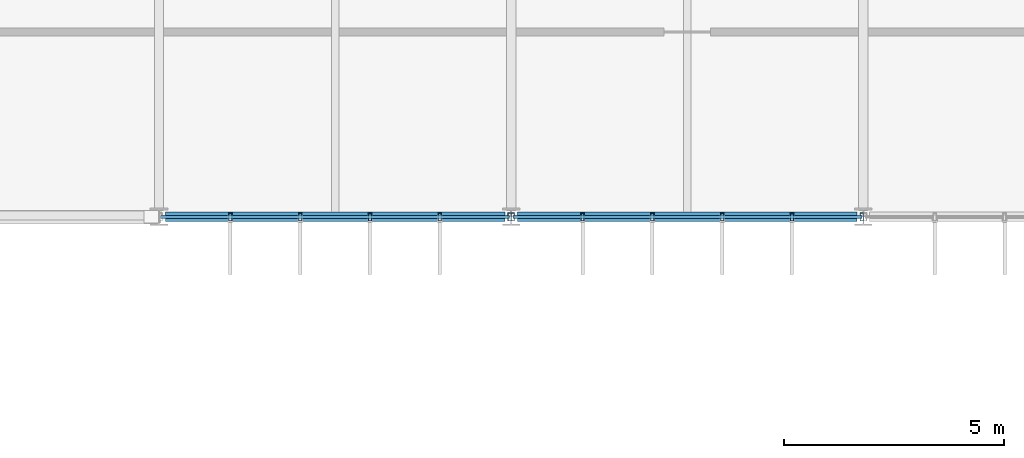
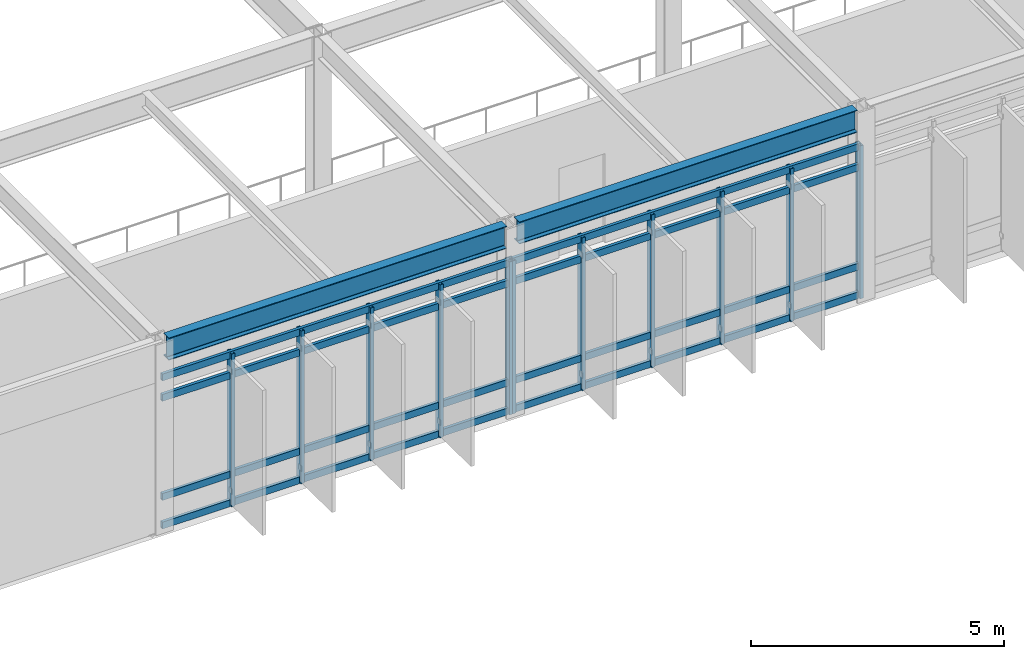
# One storey, part 35 of 104: 19 members, 2 beams, 2 elements without a shape of their own.
"""IFC4 building model written with IfcOpenShell, lengths in metres."""

from ifc_helpers import new_model, si_unit, direction, frame, origin, origin_2d, place, context, subcontext, project, spatial, hollow_rectangle, i_section, extrude, material, material_profile, profile_set, type_object, element, aggregate, save


model = new_model("IFC4")

# Units and contexts
model_context = context("Model", 3, precision=1e-05, world=origin(), true_north=direction((0.0, 1.0)))
body_context = subcontext(model_context, "Body", "Model", "MODEL_VIEW")
ifc_project = project(units=[si_unit("LENGTHUNIT", "METRE"), si_unit("AREAUNIT", "SQUARE_METRE"), si_unit("VOLUMEUNIT", "CUBIC_METRE"), si_unit("PLANEANGLEUNIT", "RADIAN"), si_unit("MASSUNIT", "GRAM", prefix="KILO")], contexts=[model_context])

# Site, building, storey
site_placement = place(None, origin())
site = spatial("IfcSite", under=ifc_project, at=site_placement, CompositionType="ELEMENT")
building_placement = place(site_placement, origin())
building = spatial("IfcBuilding", under=site, at=building_placement, Name="Zulena Civic Courthouse", CompositionType="ELEMENT")
storey_placement = place(building_placement, frame((0.0, 0.0, 15.60009765625)))
storey = spatial("IfcBuildingStorey", under=building, at=storey_placement, Name="L03", CompositionType="ELEMENT", Elevation=15.60009765625)

# Curtain wall, members
ifc_material_1 = material(Name="Double-silver low-E laminated solar-control glass", Category="glass")
curtain_wall_type = type_object("IfcCurtainWallType", Name="CW_7928x3690", PredefinedType="USERDEFINED", material=ifc_material_1)
curtain_wall_1_placement = place(storey_placement, origin())
curtain_wall_1 = element("IfcCurtainWall", 1, at=curtain_wall_1_placement, inside=storey, type_object=curtain_wall_type, Name="cw:V4:L03:3:3", ObjectType="UNITISED CURTAIN WALL", PredefinedType="USERDEFINED")
ifc_material_2 = material(Name="Bronze anodised thermally broken aluminium AA6063-T6", Category="aluminium")
ifc_material_profile_1 = material_profile(ifc_material_2, hollow_rectangle(XDim=0.074951171875, YDim=0.179931640625, WallThickness=0.0048828125, at=origin_2d()), Name="CWM180X75X5")
ifc_profile_set_1 = profile_set([ifc_material_profile_1], Name="Bronze anodised thermally broken aluminium AA6063-T6")
member_type_1 = type_object("IfcMemberType", Name="CWMullion_180x75", PredefinedType="MULLION", material=ifc_profile_set_1)
member_1_placement = place(storey_placement, frame((99.964111328125, 15.199951171875, 0.0), z_axis=(0.0, 0.0, 1.0), x_axis=(1.0, 0.0, 0.0)))
member_1 = element("IfcMember", 2, at=member_1_placement, type_object=member_type_1, Name="cw:V4:L03:3:3:mull:0", PredefinedType="MULLION", context=body_context, shape_type="SweptSolid", body=[
    extrude(hollow_rectangle(XDim=0.074951171875, YDim=0.179931640625, WallThickness=0.0048828125, at=origin_2d()), origin(), (0.0, 0.0, 1.0), 3.68994140625),
])
member_2_placement = place(storey_placement, frame((98.37841796875, 15.199951171875, 0.0), z_axis=(0.0, 0.0, 1.0), x_axis=(1.0, 0.0, 0.0)))
member_2 = element("IfcMember", 3, at=member_2_placement, type_object=member_type_1, Name="cw:V4:L03:3:3:mull:1", PredefinedType="MULLION", context=body_context, shape_type="SweptSolid", body=[
    extrude(hollow_rectangle(XDim=0.074951171875, YDim=0.179931640625, WallThickness=0.0048828125, at=origin_2d()), origin(), (0.0, 0.0, 1.0), 3.68994140625),
])
member_3_placement = place(storey_placement, frame((96.792724609375, 15.199951171875, 0.0), z_axis=(0.0, 0.0, 1.0), x_axis=(1.0, 0.0, 0.0)))
member_3 = element("IfcMember", 4, at=member_3_placement, type_object=member_type_1, Name="cw:V4:L03:3:3:mull:2", PredefinedType="MULLION", context=body_context, shape_type="SweptSolid", body=[
    extrude(hollow_rectangle(XDim=0.074951171875, YDim=0.179931640625, WallThickness=0.0048828125, at=origin_2d()), origin(), (0.0, 0.0, 1.0), 3.68994140625),
])
member_4_placement = place(storey_placement, frame((95.207275390625, 15.199951171875, 0.0), z_axis=(0.0, 0.0, 1.0), x_axis=(1.0, 0.0, 0.0)))
member_4 = element("IfcMember", 5, at=member_4_placement, type_object=member_type_1, Name="cw:V4:L03:3:3:mull:3", PredefinedType="MULLION", context=body_context, shape_type="SweptSolid", body=[
    extrude(hollow_rectangle(XDim=0.074951171875, YDim=0.179931640625, WallThickness=0.0048828125, at=origin_2d()), origin(), (0.0, 0.0, 1.0), 3.68994140625),
])
member_5_placement = place(storey_placement, frame((93.62158203125, 15.199951171875, 0.0), z_axis=(0.0, 0.0, 1.0), x_axis=(1.0, 0.0, 0.0)))
member_5 = element("IfcMember", 6, at=member_5_placement, type_object=member_type_1, Name="cw:V4:L03:3:3:mull:4", PredefinedType="MULLION", context=body_context, shape_type="SweptSolid", body=[
    extrude(hollow_rectangle(XDim=0.074951171875, YDim=0.179931640625, WallThickness=0.0048828125, at=origin_2d()), origin(), (0.0, 0.0, 1.0), 3.68994140625),
])
member_6_placement = place(storey_placement, frame((92.035888671875, 15.199951171875, 0.0), z_axis=(0.0, 0.0, 1.0), x_axis=(1.0, 0.0, 0.0)))
member_6 = element("IfcMember", 7, at=member_6_placement, type_object=member_type_1, Name="cw:V4:L03:3:3:mull:5", PredefinedType="MULLION", context=body_context, shape_type="SweptSolid", body=[
    extrude(hollow_rectangle(XDim=0.074951171875, YDim=0.179931640625, WallThickness=0.0048828125, at=origin_2d()), origin(), (0.0, 0.0, 1.0), 3.68994140625),
])

curtain_wall_2_placement = place(storey_placement, origin())
curtain_wall_2 = element("IfcCurtainWall", 8, at=curtain_wall_2_placement, inside=storey, type_object=curtain_wall_type, Name="cw:V4:L03:3:4", ObjectType="UNITISED CURTAIN WALL", PredefinedType="USERDEFINED")
member_7_placement = place(storey_placement, frame((91.964111328125, 15.199951171875, 0.0), z_axis=(0.0, 0.0, 1.0), x_axis=(1.0, 0.0, 0.0)))
member_7 = element("IfcMember", 9, at=member_7_placement, type_object=member_type_1, Name="cw:V4:L03:3:4:mull:0", PredefinedType="MULLION", context=body_context, shape_type="SweptSolid", body=[
    extrude(hollow_rectangle(XDim=0.074951171875, YDim=0.179931640625, WallThickness=0.0048828125, at=origin_2d()), origin(), (0.0, 0.0, 1.0), 3.68994140625),
])
member_8_placement = place(storey_placement, frame((90.37841796875, 15.199951171875, 0.0), z_axis=(0.0, 0.0, 1.0), x_axis=(1.0, 0.0, 0.0)))
member_8 = element("IfcMember", 10, at=member_8_placement, type_object=member_type_1, Name="cw:V4:L03:3:4:mull:1", PredefinedType="MULLION", context=body_context, shape_type="SweptSolid", body=[
    extrude(hollow_rectangle(XDim=0.074951171875, YDim=0.179931640625, WallThickness=0.0048828125, at=origin_2d()), origin(), (0.0, 0.0, 1.0), 3.68994140625),
])
member_9_placement = place(storey_placement, frame((88.792724609375, 15.199951171875, 0.0), z_axis=(0.0, 0.0, 1.0), x_axis=(1.0, 0.0, 0.0)))
member_9 = element("IfcMember", 11, at=member_9_placement, type_object=member_type_1, Name="cw:V4:L03:3:4:mull:2", PredefinedType="MULLION", context=body_context, shape_type="SweptSolid", body=[
    extrude(hollow_rectangle(XDim=0.074951171875, YDim=0.179931640625, WallThickness=0.0048828125, at=origin_2d()), origin(), (0.0, 0.0, 1.0), 3.68994140625),
])
member_10_placement = place(storey_placement, frame((87.207275390625, 15.199951171875, 0.0), z_axis=(0.0, 0.0, 1.0), x_axis=(1.0, 0.0, 0.0)))
member_10 = element("IfcMember", 12, at=member_10_placement, type_object=member_type_1, Name="cw:V4:L03:3:4:mull:3", PredefinedType="MULLION", context=body_context, shape_type="SweptSolid", body=[
    extrude(hollow_rectangle(XDim=0.074951171875, YDim=0.179931640625, WallThickness=0.0048828125, at=origin_2d()), origin(), (0.0, 0.0, 1.0), 3.68994140625),
])
member_11_placement = place(storey_placement, frame((85.62158203125, 15.199951171875, 0.0), z_axis=(0.0, 0.0, 1.0), x_axis=(1.0, 0.0, 0.0)))
member_11 = element("IfcMember", 13, at=member_11_placement, type_object=member_type_1, Name="cw:V4:L03:3:4:mull:4", PredefinedType="MULLION", context=body_context, shape_type="SweptSolid", body=[
    extrude(hollow_rectangle(XDim=0.074951171875, YDim=0.179931640625, WallThickness=0.0048828125, at=origin_2d()), origin(), (0.0, 0.0, 1.0), 3.68994140625),
])

# Member
ifc_material_profile_2 = material_profile(ifc_material_2, hollow_rectangle(XDim=0.070068359375, YDim=0.1650390625, WallThickness=0.00390625, at=origin_2d()), Name="CWT165X70X4")
ifc_profile_set_2 = profile_set([ifc_material_profile_2], Name="Bronze anodised thermally broken aluminium AA6063-T6")
member_type_2 = type_object("IfcMemberType", Name="CWTransom_165x70", PredefinedType="USERDEFINED", material=ifc_profile_set_2)
member_12_placement = place(storey_placement, frame((99.964111328125, 15.199951171875, 0.059814453125), z_axis=(-1.0, 0.0, 0.0), x_axis=(0.0, -1.0, 0.0)))
member_12 = element("IfcMember", 14, at=member_12_placement, type_object=member_type_2, Name="cw:V4:L03:3:3:tran:0", ObjectType="TRANSOM", PredefinedType="USERDEFINED", context=body_context, shape_type="SweptSolid", body=[
    extrude(hollow_rectangle(XDim=0.070068359375, YDim=0.1650390625, WallThickness=0.00390625, at=origin_2d()), origin(), (0.0, 0.0, 1.0), 7.92822265625),
])

member_13_placement = place(storey_placement, frame((99.964111328125, 15.199951171875, 0.75), z_axis=(-1.0, 0.0, 0.0), x_axis=(0.0, -1.0, 0.0)))
member_13 = element("IfcMember", 15, at=member_13_placement, type_object=member_type_2, Name="cw:V4:L03:3:3:tran:1", ObjectType="TRANSOM", PredefinedType="USERDEFINED", context=body_context, shape_type="SweptSolid", body=[
    extrude(hollow_rectangle(XDim=0.070068359375, YDim=0.1650390625, WallThickness=0.00390625, at=origin_2d()), origin(), (0.0, 0.0, 1.0), 7.92822265625),
])

member_14_placement = place(storey_placement, frame((99.964111328125, 15.199951171875, 3.139892578125), z_axis=(-1.0, 0.0, 0.0), x_axis=(0.0, -1.0, 0.0)))
member_14 = element("IfcMember", 16, at=member_14_placement, type_object=member_type_2, Name="cw:V4:L03:3:3:tran:2", ObjectType="TRANSOM", PredefinedType="USERDEFINED", context=body_context, shape_type="SweptSolid", body=[
    extrude(hollow_rectangle(XDim=0.070068359375, YDim=0.1650390625, WallThickness=0.00390625, at=origin_2d()), origin(), (0.0, 0.0, 1.0), 7.92822265625),
])

member_15_placement = place(storey_placement, frame((99.964111328125, 15.199951171875, 3.6298828125), z_axis=(-1.0, 0.0, 0.0), x_axis=(0.0, -1.0, 0.0)))
member_15 = element("IfcMember", 17, at=member_15_placement, type_object=member_type_2, Name="cw:V4:L03:3:3:tran:3", ObjectType="TRANSOM", PredefinedType="USERDEFINED", context=body_context, shape_type="SweptSolid", body=[
    extrude(hollow_rectangle(XDim=0.070068359375, YDim=0.1650390625, WallThickness=0.00390625, at=origin_2d()), origin(), (0.0, 0.0, 1.0), 7.92822265625),
])

aggregate(curtain_wall_1, [member_1, member_2, member_3, member_4, member_5, member_6, member_12, member_13, member_14, member_15])

member_16_placement = place(storey_placement, frame((91.964111328125, 15.199951171875, 0.059814453125), z_axis=(-1.0, 0.0, 0.0), x_axis=(0.0, -1.0, 0.0)))
member_16 = element("IfcMember", 18, at=member_16_placement, type_object=member_type_2, Name="cw:V4:L03:3:4:tran:0", ObjectType="TRANSOM", PredefinedType="USERDEFINED", context=body_context, shape_type="SweptSolid", body=[
    extrude(hollow_rectangle(XDim=0.070068359375, YDim=0.1650390625, WallThickness=0.00390625, at=origin_2d()), origin(), (0.0, 0.0, 1.0), 7.92822265625),
])

member_17_placement = place(storey_placement, frame((91.964111328125, 15.199951171875, 0.75), z_axis=(-1.0, 0.0, 0.0), x_axis=(0.0, -1.0, 0.0)))
member_17 = element("IfcMember", 19, at=member_17_placement, type_object=member_type_2, Name="cw:V4:L03:3:4:tran:1", ObjectType="TRANSOM", PredefinedType="USERDEFINED", context=body_context, shape_type="SweptSolid", body=[
    extrude(hollow_rectangle(XDim=0.070068359375, YDim=0.1650390625, WallThickness=0.00390625, at=origin_2d()), origin(), (0.0, 0.0, 1.0), 7.92822265625),
])

member_18_placement = place(storey_placement, frame((91.964111328125, 15.199951171875, 3.139892578125), z_axis=(-1.0, 0.0, 0.0), x_axis=(0.0, -1.0, 0.0)))
member_18 = element("IfcMember", 20, at=member_18_placement, type_object=member_type_2, Name="cw:V4:L03:3:4:tran:2", ObjectType="TRANSOM", PredefinedType="USERDEFINED", context=body_context, shape_type="SweptSolid", body=[
    extrude(hollow_rectangle(XDim=0.070068359375, YDim=0.1650390625, WallThickness=0.00390625, at=origin_2d()), origin(), (0.0, 0.0, 1.0), 7.92822265625),
])

member_19_placement = place(storey_placement, frame((91.964111328125, 15.199951171875, 3.6298828125), z_axis=(-1.0, 0.0, 0.0), x_axis=(0.0, -1.0, 0.0)))
member_19 = element("IfcMember", 21, at=member_19_placement, type_object=member_type_2, Name="cw:V4:L03:3:4:tran:3", ObjectType="TRANSOM", PredefinedType="USERDEFINED", context=body_context, shape_type="SweptSolid", body=[
    extrude(hollow_rectangle(XDim=0.070068359375, YDim=0.1650390625, WallThickness=0.00390625, at=origin_2d()), origin(), (0.0, 0.0, 1.0), 7.92822265625),
])

aggregate(curtain_wall_2, [member_7, member_8, member_9, member_10, member_11, member_16, member_17, member_18, member_19])

# Beams
ifc_material_3 = material(Name="Steel ASTM A992 Grade 50", Category="steel")
ifc_material_profile_3 = material_profile(ifc_material_3, i_section(OverallWidth=0.2099609375, OverallDepth=0.537109375, WebThickness=0.010986328125, FlangeThickness=0.017333984375, FilletRadius=0.0126953125, at=origin_2d()), Name="W21X68")
ifc_profile_set_3 = profile_set([ifc_material_profile_3], Name="Steel ASTM A992 Grade 50")
beam_type = type_object("IfcBeamType", Name="Spandrel_W21X68", PredefinedType="SPANDREL", material=ifc_profile_set_3)
for number, where, z_axis, x_axis, name in (
    (22, (84.14501953125, 15.199951171875, 4.3212890625), (1.0, 0.0, 0.0), (0.0, 1.0, 0.0), "beam:X:V4:L03:15.2:84.0_92.0"),
    (23, (92.14501953125, 15.199951171875, 4.3212890625), (1.0, 0.0, 0.0), (0.0, 1.0, 0.0), "beam:X:V4:L03:15.2:92.0_100.0"),
):
    element("IfcBeam", number, at=place(storey_placement, frame(where, z_axis=z_axis, x_axis=x_axis)), inside=storey, type_object=beam_type, Name=name, PredefinedType="SPANDREL", context=body_context, shape_type="SweptSolid", body=[
        extrude(i_section(OverallWidth=0.2099609375, OverallDepth=0.537109375, WebThickness=0.010986328125, FlangeThickness=0.017333984375, FilletRadius=0.0126953125, at=origin_2d()), origin(), (0.0, 0.0, 1.0), 7.7099609375),
    ])

save(model, "model.ifc")
